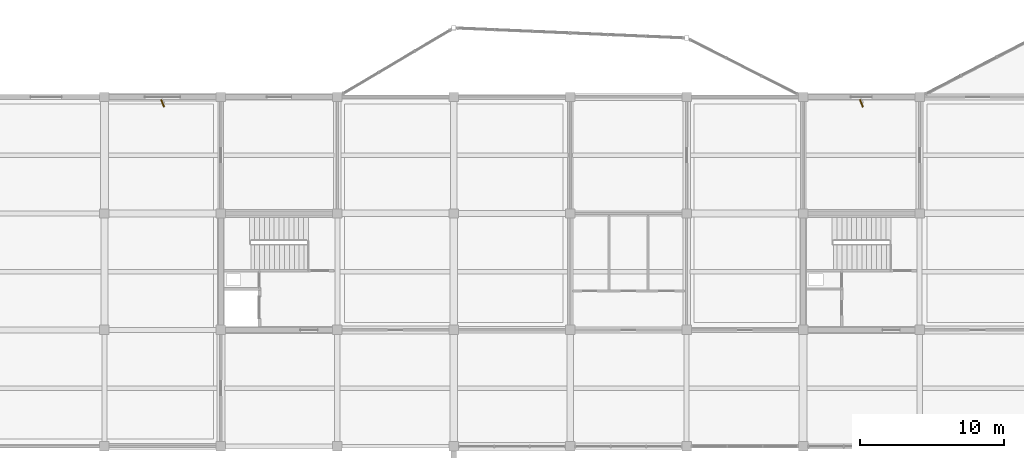
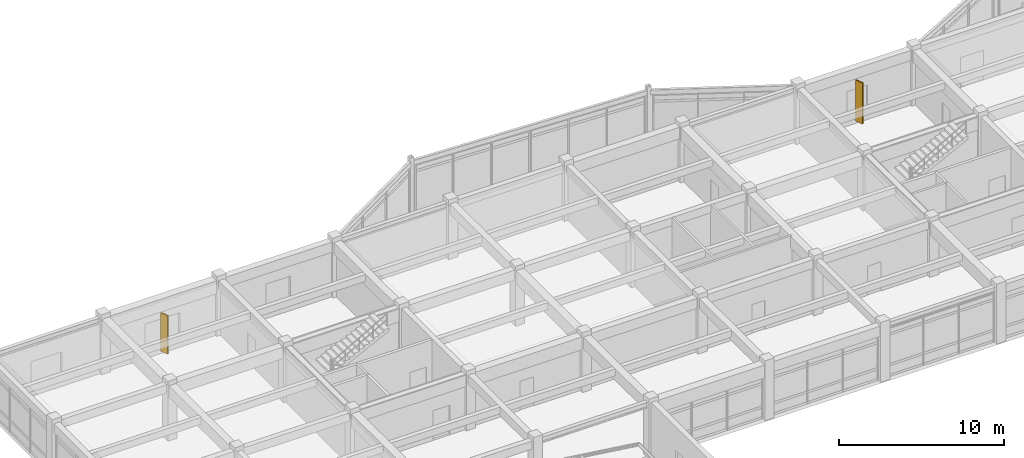
# One storey, part 88 of 89: 2 shading devices.
"""IFC4 building model written with IfcOpenShell, lengths in metres."""

from ifc_helpers import new_model, si_unit, direction, frame, origin, origin_2d, place, context, subcontext, project, spatial, rectangle, extrude, material, type_object, element, save


model = new_model("IFC4")

# Units and contexts
model_context = context("Model", 3, precision=1e-05, world=origin(), true_north=direction((0.0, 1.0)))
body_context = subcontext(model_context, "Body", "Model", "MODEL_VIEW")
ifc_project = project(units=[si_unit("LENGTHUNIT", "METRE"), si_unit("AREAUNIT", "SQUARE_METRE"), si_unit("VOLUMEUNIT", "CUBIC_METRE"), si_unit("PLANEANGLEUNIT", "RADIAN"), si_unit("MASSUNIT", "GRAM", prefix="KILO")], contexts=[model_context])

# Site, building, storey
site_placement = place(None, origin())
site = spatial("IfcSite", under=ifc_project, at=site_placement, CompositionType="ELEMENT")
building_placement = place(site_placement, origin())
building = spatial("IfcBuilding", under=site, at=building_placement, Name="Vaudrelin Polytechnic", CompositionType="ELEMENT")
storey_placement = place(building_placement, frame((0.0, 0.0, 9.68994140625)))
storey = spatial("IfcBuildingStorey", under=building, at=storey_placement, Name="L02", CompositionType="ELEMENT", Elevation=9.68994140625)

# Shading devices
ifc_material = material(Name="Anodised perforated aluminium AA 5005", Category="aluminium")
shading_device_type = type_object("IfcShadingDeviceType", Name="ENV-SF-FIN1", PredefinedType="USERDEFINED", material=ifc_material)
shading_device_1_placement = place(storey_placement, frame((12.14990234375, 121.06005859375, 0.199951171875), z_axis=(0.0, 0.0, 1.0), x_axis=(0.374606593416, -0.927183854567, 0.0)))
element("IfcShadingDevice", 1, at=shading_device_1_placement, inside=storey, type_object=shading_device_type, Name="Perforated solar fin SF-023", ObjectType="SOLAR FIN", PredefinedType="USERDEFINED", context=body_context, shape_type="SweptSolid", body=[
    extrude(rectangle(XDim=0.550048828125, YDim=0.080078125, at=origin_2d()), origin(), (0.0, 0.0, 1.0), 2.83203125),
])
shading_device_2_placement = place(storey_placement, frame((60.75, 121.06005859375, 0.2001953125), z_axis=(0.0, 0.0, 1.0), x_axis=(0.374606593416, -0.927183854567, 0.0)))
element("IfcShadingDevice", 2, at=shading_device_2_placement, inside=storey, type_object=shading_device_type, Name="Perforated solar fin SF-024", ObjectType="SOLAR FIN", PredefinedType="USERDEFINED", context=body_context, shape_type="SweptSolid", body=[
    extrude(rectangle(XDim=0.550048828125, YDim=0.080078125, at=origin_2d()), origin(), (0.0, 0.0, 1.0), 3.031982421875),
])

save(model, "model.ifc")
